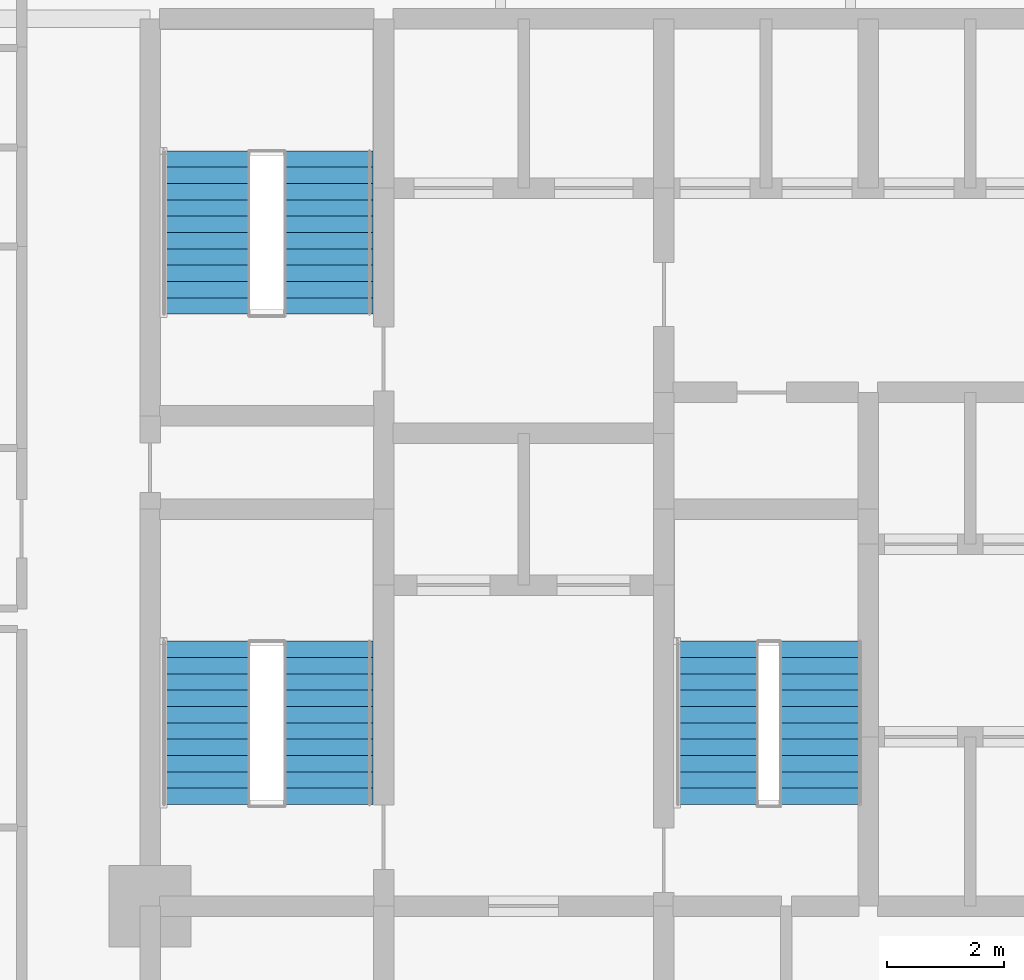
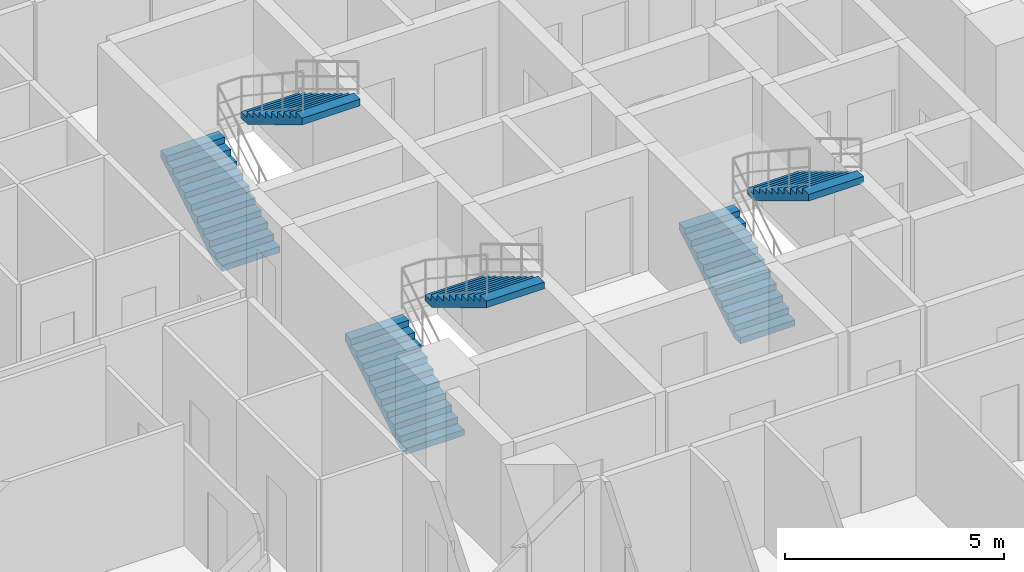
# One storey, part 32 of 34: 6 stair flights, 3 elements without a shape of their own.
"""IFC4 building model written with IfcOpenShell, lengths in metres."""

import ifcopenshell
import ifcopenshell.guid

model = None  # the IFC model being written
_history = None  # IfcOwnerHistory: only IFC2X3 demands one
_inside = {}  # id of a spatial element -> (the spatial element, [elements in it])
_under = {}  # id of a project, library or spatial element -> (it, [spatial elements below it])
_declared = {}  # id of a project -> (the project, [libraries it declares])
_typed = {}  # id of a type object -> (the type object, [elements of that type])
_made_of = {}  # id of a material, layer set ... -> (it, [elements and type objects made of it])


def new_model(schema):
    """Start an empty IFC model of exactly this schema.

    Asked for "IFC4X3", IfcOpenShell would pick the latest addendum, in which some entities
    have other attributes; the version numbers below select the first issue.
    IFC2X3 requires an IfcOwnerHistory on every rooted entity: one is made here for all.
    """
    global model, _history
    if schema == "IFC4X3":
        model = ifcopenshell.file(schema_version=(4, 3, 0, 0))
    else:
        model = ifcopenshell.file(schema=schema)
    _inside.clear()
    _under.clear()
    _declared.clear()
    _typed.clear()
    _made_of.clear()
    _history = None
    if model.schema == "IFC2X3":
        org = make("IfcOrganization", Name="unknown")
        user = make(
            "IfcPersonAndOrganization",
            ThePerson=make("IfcPerson", FamilyName="unknown"),
            TheOrganization=org,
        )
        app = make(
            "IfcApplication",
            ApplicationDeveloper=org,
            Version="unknown",
            ApplicationFullName="unknown",
            ApplicationIdentifier="unknown",
        )
        _history = make(
            "IfcOwnerHistory",
            OwningUser=user,
            OwningApplication=app,
            ChangeAction="ADDED",
            CreationDate=0,
        )
    return model


def make(cls, **values):
    """One entity of the class cls with the attributes given. An attribute that is None is left unset."""
    return model.create_entity(
        cls, **{name: value for name, value in values.items() if value is not None}
    )


def rooted(cls, **values):
    """An entity with a GlobalId (a new one), such as an element, a storey or a relation."""
    return make(cls, GlobalId=ifcopenshell.guid.new(), OwnerHistory=_history, **values)


def si_unit(unit_type, name, prefix=None):
    """IfcSIUnit, for example si_unit("LENGTHUNIT", "METRE", prefix="MILLI")."""
    return make("IfcSIUnit", UnitType=unit_type, Prefix=prefix, Name=name)


def assignment(units):
    """IfcUnitAssignment: the units of a project."""
    return None if units is None else make("IfcUnitAssignment", Units=units)


def point(xyz):
    """IfcCartesianPoint."""
    return None if xyz is None else make("IfcCartesianPoint", Coordinates=xyz)


def direction(xyz):
    """IfcDirection."""
    return None if xyz is None else make("IfcDirection", DirectionRatios=xyz)


def frame(location, z_axis=None, x_axis=None):
    """IfcAxis2Placement3D, a coordinate frame: its origin and axes. An axis left out is left unset."""
    return make(
        "IfcAxis2Placement3D",
        Location=point(location),
        Axis=direction(z_axis),
        RefDirection=direction(x_axis),
    )


def origin():
    """The frame at (0, 0, 0) with its axes left unset."""
    return frame((0.0, 0.0, 0.0))


def place(relative_to, where):
    """IfcLocalPlacement: puts the frame where relative to a parent placement (None: the world)."""
    return make(
        "IfcLocalPlacement", PlacementRelTo=relative_to, RelativePlacement=where
    )


def context(
    kind, dimensions, precision=None, world=None, true_north=None, identifier=None
):
    """IfcGeometricRepresentationContext, for example the 3D "Model" context."""
    return make(
        "IfcGeometricRepresentationContext",
        ContextIdentifier=identifier,
        ContextType=kind,
        CoordinateSpaceDimension=dimensions,
        Precision=precision,
        WorldCoordinateSystem=world,
        TrueNorth=true_north,
    )


def subcontext(parent, identifier, kind, view, scale=None):
    """IfcGeometricRepresentationSubContext, for example "Body" below "Model"."""
    return make(
        "IfcGeometricRepresentationSubContext",
        ContextIdentifier=identifier,
        ContextType=kind,
        ParentContext=parent,
        TargetScale=scale,
        TargetView=view,
    )


def project(units=None, contexts=None):
    """IfcProject with its units and contexts."""
    return rooted(
        "IfcProject",
        Name="project",
        RepresentationContexts=contexts,
        UnitsInContext=assignment(units),
    )


def spatial(cls, under=None, at=None, **own):
    """A site, building, storey or space (cls), placed at a placement, below another one or the project."""
    s = rooted(cls, ObjectPlacement=at, **own)
    if under is not None:
        _under.setdefault(under.id(), (under, []))[1].append(s)
    return s


def polyline(points):
    """IfcPolyline through the points."""
    return make("IfcPolyline", Points=[point(p) for p in points])


def outline(outer, holes=None, kind="AREA"):
    """IfcArbitraryClosedProfileDef: a profile drawn as a closed curve; with holes, ...WithVoids."""
    if holes is None:
        return make("IfcArbitraryClosedProfileDef", ProfileType=kind, OuterCurve=outer)
    return make(
        "IfcArbitraryProfileDefWithVoids",
        ProfileType=kind,
        OuterCurve=outer,
        InnerCurves=holes,
    )


def extrude(swept, where, along, depth):
    """IfcExtrudedAreaSolid: the profile swept, set in the frame where, extruded along a direction by depth."""
    return make(
        "IfcExtrudedAreaSolid",
        SweptArea=swept,
        Position=where,
        ExtrudedDirection=direction(along),
        Depth=depth,
    )


def shape(context_of_items, identifier, shape_type, items):
    """IfcShapeRepresentation: the items that make up one representation, for example the "Body"."""
    return make(
        "IfcShapeRepresentation",
        ContextOfItems=context_of_items,
        RepresentationIdentifier=identifier,
        RepresentationType=shape_type,
        Items=items,
    )


def material(Name=None, Category=None):
    """IfcMaterial."""
    return make("IfcMaterial", Name=Name, Category=Category)


def made_of(thing, what):
    """Note that an element or type object is made of a material, layer set ...; save() writes the relation."""
    if what is not None:
        _made_of.setdefault(what.id(), (what, []))[1].append(thing)
    return thing


def type_object(cls, material=None, **own):
    """A type object (cls), such as IfcWallType, which elements share."""
    return made_of(rooted(cls, **own), material)


def element(
    cls,
    number,
    at=None,
    inside=None,
    cuts=None,
    type_object=None,
    material=None,
    context=None,
    identifier="Body",
    shape_type=None,
    held_by="IfcProductDefinitionShape",
    body=None,
    shapes=None,
    **own,
):
    """One element of the class cls, such as IfcWall. Its Tag is "e" and its number.

    at: its placement. inside: the storey or other place that contains it. cuts: it is an
    opening in that element (IfcRelVoidsElement). A single representation is given by context,
    identifier, shape_type and body (its items); several are given by shapes. held_by: the class
    of the entity that holds the representations. save() writes the other relations.
    """
    e = rooted(cls, Tag="e%d" % number, ObjectPlacement=at, **own)
    if body is not None:
        shapes = [shape(context, identifier, shape_type, body)]
    if shapes is not None:
        e.Representation = make(held_by, Representations=shapes)
    if inside is not None:
        _inside.setdefault(inside.id(), (inside, []))[1].append(e)
    if cuts is not None:
        rooted(
            "IfcRelVoidsElement", RelatingBuildingElement=cuts, RelatedOpeningElement=e
        )
    if type_object is not None:
        _typed.setdefault(type_object.id(), (type_object, []))[1].append(e)
    return made_of(e, material)


def aggregate(whole, parts):
    """IfcRelAggregates: a whole, such as a stair, and the parts it consists of."""
    return rooted("IfcRelAggregates", RelatingObject=whole, RelatedObjects=parts)


def save(model, path):
    """Write the relations noted so far, then the file.

    IfcRelAggregates (storeys below a building ...), IfcRelContainedInSpatialStructure (elements
    in a storey), IfcRelDefinesByType, IfcRelAssociatesMaterial and IfcRelDeclares: one each for
    every whole, place, type object, material and project.
    """
    for whole, parts in _under.values():
        aggregate(whole, parts)
    for where, things in _inside.values():
        rooted(
            "IfcRelContainedInSpatialStructure",
            RelatedElements=things,
            RelatingStructure=where,
        )
    for kind, things in _typed.values():
        rooted("IfcRelDefinesByType", RelatedObjects=things, RelatingType=kind)
    for what, things in _made_of.values():
        rooted("IfcRelAssociatesMaterial", RelatedObjects=things, RelatingMaterial=what)
    for by, libraries in _declared.values():
        rooted("IfcRelDeclares", RelatingContext=by, RelatedDefinitions=libraries)
    model.write(path)


model = new_model("IFC4")

# Units and contexts
model_context = context("Model", 3, precision=1e-05, world=origin(), true_north=direction((0.0, 1.0)))
body_context = subcontext(model_context, "Body", "Model", "MODEL_VIEW")
ifc_project = project(units=[si_unit("LENGTHUNIT", "METRE"), si_unit("AREAUNIT", "SQUARE_METRE"), si_unit("VOLUMEUNIT", "CUBIC_METRE"), si_unit("PLANEANGLEUNIT", "RADIAN"), si_unit("MASSUNIT", "GRAM", prefix="KILO")], contexts=[model_context])

# Site, building, storey
site_placement = place(None, origin())
site = spatial("IfcSite", under=ifc_project, at=site_placement, CompositionType="ELEMENT")
building_placement = place(site_placement, origin())
building = spatial("IfcBuilding", under=site, at=building_placement, Name="Keshet Zoharim Tower", CompositionType="ELEMENT")
storey_placement = place(building_placement, frame((0.0, 0.0, 46.199951171875)))
storey = spatial("IfcBuildingStorey", under=building, at=storey_placement, Name="L10", CompositionType="ELEMENT", Elevation=46.199951171875)

# Stair, stair flights
ifc_material = material(Name="Concrete C50/60", Category="concrete")
stair_type = type_object("IfcStairType", Name="STR-EXIT-135", PredefinedType="HALF_TURN_STAIR", material=ifc_material)
stair_1_placement = place(storey_placement, origin())
stair_1 = element("IfcStair", 1, at=stair_1_placement, inside=storey, type_object=stair_type, Name="L10 Enclosed Exit Stair ST-01", PredefinedType="HALF_TURN_STAIR")
stair_flight_type_1 = type_object("IfcStairFlightType", Name="FLT-PRE-135", PredefinedType="STRAIGHT", material=ifc_material)
stair_flight_1_placement = place(storey_placement, frame((15.945068359375, 24.43994140625, 0.0), z_axis=(0.0, 0.0, 1.0), x_axis=(0.0, 1.0, 0.0)))
stair_flight_1 = element("IfcStairFlight", 2, at=stair_flight_1_placement, type_object=stair_flight_type_1, Name="ST-01 flight 1", NumberOfRisers=11, NumberOfTreads=10, PredefinedType="STRAIGHT", RiserHeight=0.168182, TreadLength=0.28, context=body_context, shape_type="SweptSolid", body=[
    extrude(outline(polyline([(0.0, 0.0), (0.0, 0.168212890625), (0.280029296875, 0.168212890625), (0.280029296875, 0.33642578125), (0.56005859375, 0.33642578125), (0.56005859375, 0.504638671875), (0.840087890625, 0.504638671875), (0.840087890625, 0.672607421875), (1.1201171875, 0.672607421875), (1.1201171875, 0.8408203125), (1.39990234375, 0.8408203125), (1.39990234375, 1.009033203125), (1.679931640625, 1.009033203125), (1.679931640625, 1.17724609375), (1.9599609375, 1.17724609375), (1.9599609375, 1.345458984375), (2.239990234375, 1.345458984375), (2.239990234375, 1.513671875), (2.52001953125, 1.513671875), (2.52001953125, 1.681884765625), (2.800048828125, 1.681884765625), (2.800048828125, 1.85009765625), (2.800048828125, 1.495361328125), (0.310546875, 0.0), (0.0, 0.0)])), frame((0.0, 0.76513671875, 0.0), z_axis=(0.0, -1.0, 0.0), x_axis=(1.0, 0.0, 0.0)), (0.0, 0.0, 1.0), 1.530029296875),
])
stair_flight_2_placement = place(storey_placement, frame((18.054931640625, 27.239990234375, 1.85009765625), z_axis=(0.0, 0.0, 1.0), x_axis=(0.0, -1.0, 0.0)))
stair_flight_2 = element("IfcStairFlight", 3, at=stair_flight_2_placement, type_object=stair_flight_type_1, Name="ST-01 flight 2", NumberOfRisers=11, NumberOfTreads=10, PredefinedType="STRAIGHT", RiserHeight=0.168182, TreadLength=0.28, context=body_context, shape_type="SweptSolid", body=[
    extrude(outline(polyline([(0.0, 0.0), (0.0, 0.168212890625), (0.280029296875, 0.168212890625), (0.280029296875, 0.33642578125), (0.56005859375, 0.33642578125), (0.56005859375, 0.504638671875), (0.840087890625, 0.504638671875), (0.840087890625, 0.672607421875), (1.1201171875, 0.672607421875), (1.1201171875, 0.8408203125), (1.39990234375, 0.8408203125), (1.39990234375, 1.009033203125), (1.679931640625, 1.009033203125), (1.679931640625, 1.17724609375), (1.9599609375, 1.17724609375), (1.9599609375, 1.345458984375), (2.239990234375, 1.345458984375), (2.239990234375, 1.513671875), (2.52001953125, 1.513671875), (2.52001953125, 1.681884765625), (2.800048828125, 1.681884765625), (2.800048828125, 1.85009765625), (2.800048828125, 1.495361328125), (0.310546875, 0.0), (0.0, 0.0)])), frame((0.0, 0.76513671875, 0.0), z_axis=(0.0, -1.0, 0.0), x_axis=(1.0, 0.0, 0.0)), (0.0, 0.0, 1.0), 1.530029296875),
])
aggregate(stair_1, [stair_flight_1, stair_flight_2])

stair_2_placement = place(storey_placement, origin())
stair_2 = element("IfcStair", 4, at=stair_2_placement, inside=storey, type_object=stair_type, Name="L10 Enclosed Exit Stair ST-02", PredefinedType="HALF_TURN_STAIR")
stair_flight_3_placement = place(storey_placement, frame((15.945068359375, 32.840087890625, 0.0), z_axis=(0.0, 0.0, 1.0), x_axis=(0.0, 1.0, 0.0)))
stair_flight_3 = element("IfcStairFlight", 5, at=stair_flight_3_placement, type_object=stair_flight_type_1, Name="ST-02 flight 1", NumberOfRisers=11, NumberOfTreads=10, PredefinedType="STRAIGHT", RiserHeight=0.168182, TreadLength=0.28, context=body_context, shape_type="SweptSolid", body=[
    extrude(outline(polyline([(0.0, 0.0), (0.0, 0.168212890625), (0.280029296875, 0.168212890625), (0.280029296875, 0.33642578125), (0.56005859375, 0.33642578125), (0.56005859375, 0.504638671875), (0.840087890625, 0.504638671875), (0.840087890625, 0.672607421875), (1.1201171875, 0.672607421875), (1.1201171875, 0.8408203125), (1.39990234375, 0.8408203125), (1.39990234375, 1.009033203125), (1.679931640625, 1.009033203125), (1.679931640625, 1.17724609375), (1.9599609375, 1.17724609375), (1.9599609375, 1.345458984375), (2.239990234375, 1.345458984375), (2.239990234375, 1.513671875), (2.52001953125, 1.513671875), (2.52001953125, 1.681884765625), (2.800048828125, 1.681884765625), (2.800048828125, 1.85009765625), (2.800048828125, 1.495361328125), (0.310546875, 0.0), (0.0, 0.0)])), frame((0.0, 0.76513671875, 0.0), z_axis=(0.0, -1.0, 0.0), x_axis=(1.0, 0.0, 0.0)), (0.0, 0.0, 1.0), 1.530029296875),
])
stair_flight_4_placement = place(storey_placement, frame((18.054931640625, 35.639892578125, 1.85009765625), z_axis=(0.0, 0.0, 1.0), x_axis=(0.0, -1.0, 0.0)))
stair_flight_4 = element("IfcStairFlight", 6, at=stair_flight_4_placement, type_object=stair_flight_type_1, Name="ST-02 flight 2", NumberOfRisers=11, NumberOfTreads=10, PredefinedType="STRAIGHT", RiserHeight=0.168182, TreadLength=0.28, context=body_context, shape_type="SweptSolid", body=[
    extrude(outline(polyline([(0.0, 0.0), (0.0, 0.168212890625), (0.280029296875, 0.168212890625), (0.280029296875, 0.33642578125), (0.56005859375, 0.33642578125), (0.56005859375, 0.504638671875), (0.840087890625, 0.504638671875), (0.840087890625, 0.672607421875), (1.1201171875, 0.672607421875), (1.1201171875, 0.8408203125), (1.39990234375, 0.8408203125), (1.39990234375, 1.009033203125), (1.679931640625, 1.009033203125), (1.679931640625, 1.17724609375), (1.9599609375, 1.17724609375), (1.9599609375, 1.345458984375), (2.239990234375, 1.345458984375), (2.239990234375, 1.513671875), (2.52001953125, 1.513671875), (2.52001953125, 1.681884765625), (2.800048828125, 1.681884765625), (2.800048828125, 1.85009765625), (2.800048828125, 1.495361328125), (0.310546875, 0.0), (0.0, 0.0)])), frame((0.0, 0.76513671875, 0.0), z_axis=(0.0, -1.0, 0.0), x_axis=(1.0, 0.0, 0.0)), (0.0, 0.0, 1.0), 1.530029296875),
])
aggregate(stair_2, [stair_flight_3, stair_flight_4])

stair_3_placement = place(storey_placement, origin())
stair_3 = element("IfcStair", 7, at=stair_3_placement, inside=storey, type_object=stair_type, Name="L10 Enclosed Exit Stair ST-03", PredefinedType="HALF_TURN_STAIR")
stair_flight_type_2 = type_object("IfcStairFlightType", Name="FLT-PRE-144", PredefinedType="STRAIGHT", material=ifc_material)
stair_flight_5_placement = place(storey_placement, frame((24.699951171875, 24.43994140625, 0.0), z_axis=(0.0, 0.0, 1.0), x_axis=(0.0, 1.0, 0.0)))
stair_flight_5 = element("IfcStairFlight", 8, at=stair_flight_5_placement, type_object=stair_flight_type_2, Name="ST-03 flight 1", NumberOfRisers=11, NumberOfTreads=10, PredefinedType="STRAIGHT", RiserHeight=0.168182, TreadLength=0.28, context=body_context, shape_type="SweptSolid", body=[
    extrude(outline(polyline([(0.0, 0.0), (0.0, 0.168212890625), (0.280029296875, 0.168212890625), (0.280029296875, 0.33642578125), (0.56005859375, 0.33642578125), (0.56005859375, 0.504638671875), (0.840087890625, 0.504638671875), (0.840087890625, 0.672607421875), (1.1201171875, 0.672607421875), (1.1201171875, 0.8408203125), (1.39990234375, 0.8408203125), (1.39990234375, 1.009033203125), (1.679931640625, 1.009033203125), (1.679931640625, 1.17724609375), (1.9599609375, 1.17724609375), (1.9599609375, 1.345458984375), (2.239990234375, 1.345458984375), (2.239990234375, 1.513671875), (2.52001953125, 1.513671875), (2.52001953125, 1.681884765625), (2.800048828125, 1.681884765625), (2.800048828125, 1.85009765625), (2.800048828125, 1.495361328125), (0.310546875, 0.0), (0.0, 0.0)])), frame((0.0, 0.719970703125, 0.0), z_axis=(0.0, -1.0, 0.0), x_axis=(1.0, 0.0, 0.0)), (0.0, 0.0, 1.0), 1.43994140625),
])
stair_flight_6_placement = place(storey_placement, frame((26.5, 27.239990234375, 1.85009765625), z_axis=(0.0, 0.0, 1.0), x_axis=(0.0, -1.0, 0.0)))
stair_flight_6 = element("IfcStairFlight", 9, at=stair_flight_6_placement, type_object=stair_flight_type_2, Name="ST-03 flight 2", NumberOfRisers=11, NumberOfTreads=10, PredefinedType="STRAIGHT", RiserHeight=0.168182, TreadLength=0.28, context=body_context, shape_type="SweptSolid", body=[
    extrude(outline(polyline([(0.0, 0.0), (0.0, 0.168212890625), (0.280029296875, 0.168212890625), (0.280029296875, 0.33642578125), (0.56005859375, 0.33642578125), (0.56005859375, 0.504638671875), (0.840087890625, 0.504638671875), (0.840087890625, 0.672607421875), (1.1201171875, 0.672607421875), (1.1201171875, 0.8408203125), (1.39990234375, 0.8408203125), (1.39990234375, 1.009033203125), (1.679931640625, 1.009033203125), (1.679931640625, 1.17724609375), (1.9599609375, 1.17724609375), (1.9599609375, 1.345458984375), (2.239990234375, 1.345458984375), (2.239990234375, 1.513671875), (2.52001953125, 1.513671875), (2.52001953125, 1.681884765625), (2.800048828125, 1.681884765625), (2.800048828125, 1.85009765625), (2.800048828125, 1.495361328125), (0.310546875, 0.0), (0.0, 0.0)])), frame((0.0, 0.719970703125, 0.0), z_axis=(0.0, -1.0, 0.0), x_axis=(1.0, 0.0, 0.0)), (0.0, 0.0, 1.0), 1.43994140625),
])
aggregate(stair_3, [stair_flight_5, stair_flight_6])

save(model, "model.ifc")
